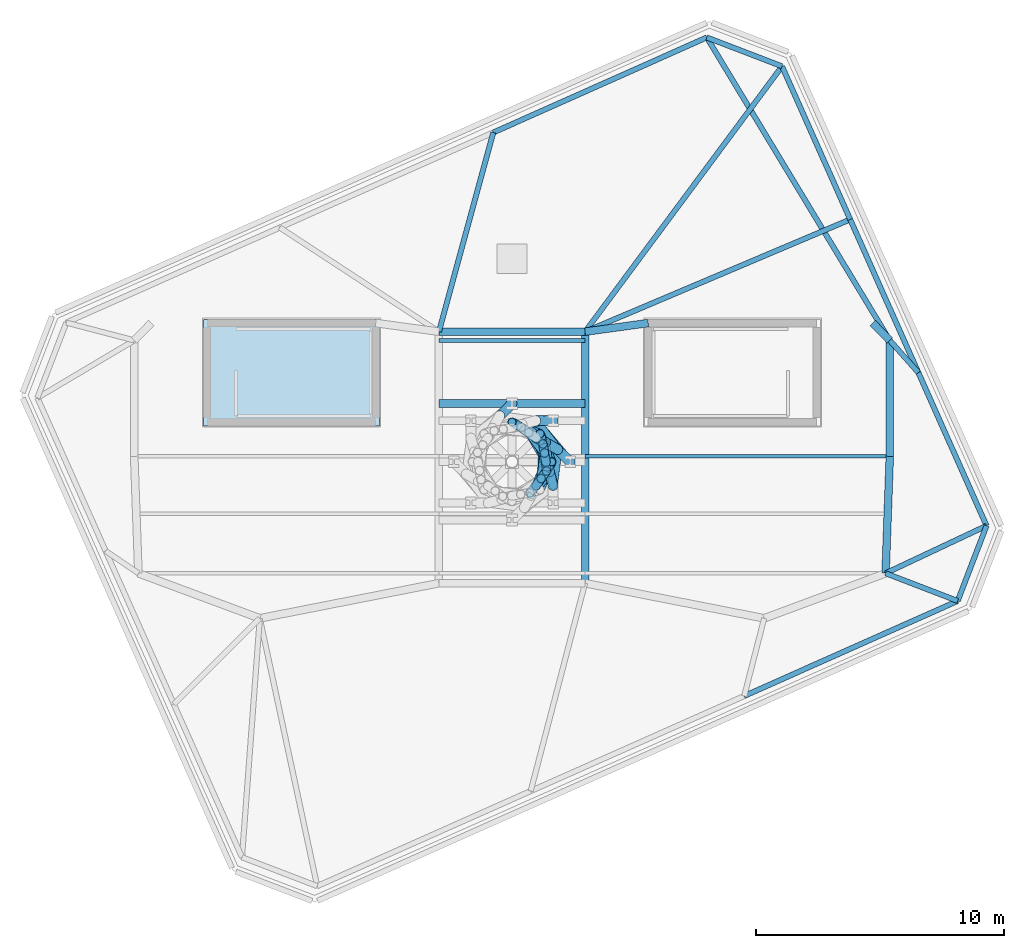
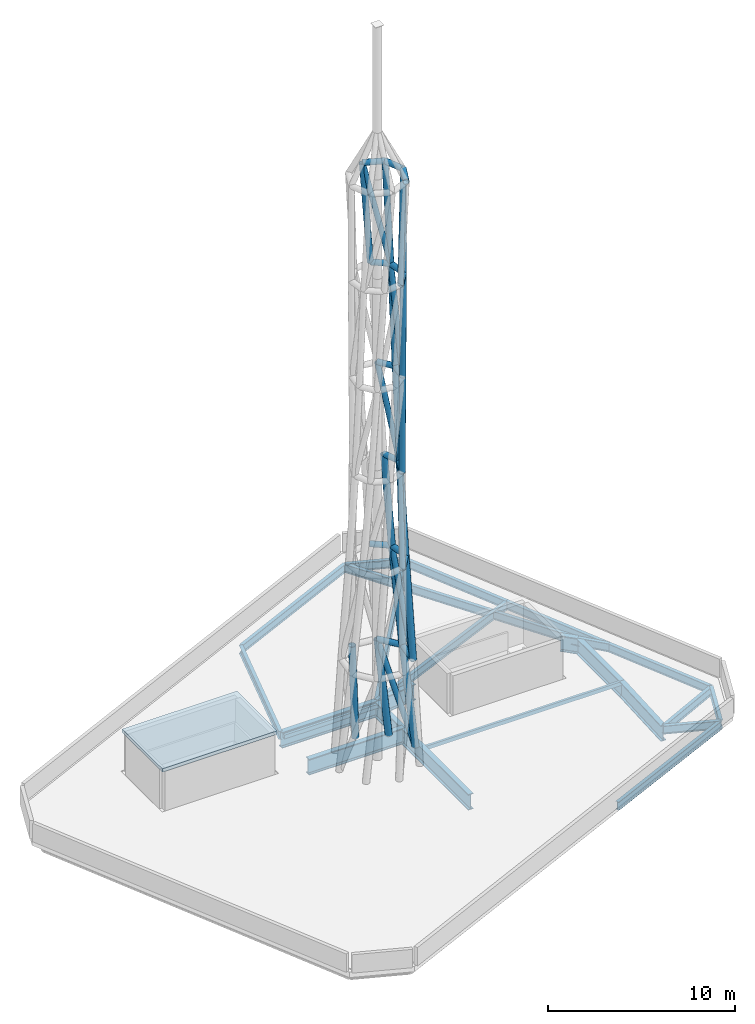
# One storey, part 3 of 5: 38 members, 21 beams, 1 slab.
"""IFC4 building model written with IfcOpenShell, lengths in metres."""

from ifc_helpers import new_model, si_unit, direction, frame, origin, origin_2d, place, context, subcontext, project, spatial, polyline, hollow_rectangle, hollow_circle, i_section, outline, extrude, material, layer, layer_set, material_profile, profile_set, type_object, element, save


model = new_model("IFC4")

# Units and contexts
model_context = context("Model", 3, precision=1e-05, world=origin(), true_north=direction((0.0, 1.0)))
body_context = subcontext(model_context, "Body", "Model", "MODEL_VIEW")
ifc_project = project(units=[si_unit("LENGTHUNIT", "METRE"), si_unit("AREAUNIT", "SQUARE_METRE"), si_unit("VOLUMEUNIT", "CUBIC_METRE"), si_unit("PLANEANGLEUNIT", "RADIAN"), si_unit("MASSUNIT", "GRAM", prefix="KILO")], contexts=[model_context])

# Site, building, storey
site_placement = place(None, origin())
site = spatial("IfcSite", under=ifc_project, at=site_placement, CompositionType="ELEMENT")
building_placement = place(site_placement, origin())
building = spatial("IfcBuilding", under=site, at=building_placement, Name="Menara Jurai Vektor", CompositionType="ELEMENT")
storey_placement = place(building_placement, frame((0.0, 0.0, 312.0)))
storey = spatial("IfcBuildingStorey", under=building, at=storey_placement, Name="Roof", CompositionType="ELEMENT", Elevation=312.0)

# Beams
ifc_material_1 = material(Name="Steel S355", Category="steel")
ifc_material_profile_1 = material_profile(ifc_material_1, i_section(OverallWidth=0.2109375, OverallDepth=0.5390625, WebThickness=0.011962890625, FlangeThickness=0.01904296875, FilletRadius=0.012939453125, at=origin_2d()), Name="UKB 533x210x109")
ifc_profile_set_1 = profile_set([ifc_material_profile_1], Name="Steel S355")
beam_type_1 = type_object("IfcBeamType", Name="STR-BM-533", PredefinedType="BEAM", material=ifc_profile_set_1)
beam_1_placement = place(storey_placement, frame((9.372802734375, -9.455078125, -0.619384765625), z_axis=(0.913552017411, 0.406721909276, 0.0), x_axis=(-0.406721909276, 0.913552017411, 0.0)))
element("IfcBeam", 1, at=beam_1_placement, inside=storey, type_object=beam_type_1, Name="Drum Roof Spandrel Beam 03", PredefinedType="SPANDREL", context=body_context, shape_type="SweptSolid", body=[
    extrude(i_section(OverallWidth=0.2109375, OverallDepth=0.5390625, WebThickness=0.011962890625, FlangeThickness=0.01904296875, FilletRadius=0.012939453125, at=origin_2d()), origin(), (0.0, 0.0, 1.0), 9.43310546875),
])
beam_2_placement = place(storey_placement, frame((17.990478515625, -5.618408203125, -0.619384765625), z_axis=(0.358400601676, 0.933567891863, 0.0), x_axis=(-0.933567891863, 0.358400601676, 0.0)))
element("IfcBeam", 2, at=beam_2_placement, inside=storey, type_object=beam_type_1, Name="Drum Roof Spandrel Beam 04", PredefinedType="SPANDREL", context=body_context, shape_type="SweptSolid", body=[
    extrude(i_section(OverallWidth=0.2109375, OverallDepth=0.5390625, WebThickness=0.011962890625, FlangeThickness=0.01904296875, FilletRadius=0.012939453125, at=origin_2d()), origin(), (0.0, 0.0, 1.0), 3.252685546875),
])
beam_3_placement = place(storey_placement, frame((17.990478515625, -5.618408203125, -0.619384765625), z_axis=(-0.933450508536, 0.358706214211, 0.0), x_axis=(-0.358706214211, -0.933450508536, 0.0)))
element("IfcBeam", 3, at=beam_3_placement, inside=storey, type_object=beam_type_1, Name="Drum Roof Radial Girder 04", PredefinedType="BEAM", context=body_context, shape_type="SweptSolid", body=[
    extrude(i_section(OverallWidth=0.2109375, OverallDepth=0.5390625, WebThickness=0.011962890625, FlangeThickness=0.01904296875, FilletRadius=0.012939453125, at=origin_2d()), origin(), (0.0, 0.0, 1.0), 3.117919921875),
])
beam_4_placement = place(storey_placement, frame((19.15625, -2.581787109375, -0.619384765625), z_axis=(-0.406747616829, 0.913540571734, 0.0), x_axis=(-0.913540571734, -0.406747616829, 0.0)))
element("IfcBeam", 4, at=beam_4_placement, inside=storey, type_object=beam_type_1, Name="Drum Roof Spandrel Beam 05", PredefinedType="SPANDREL", context=body_context, shape_type="SweptSolid", body=[
    extrude(i_section(OverallWidth=0.2109375, OverallDepth=0.5390625, WebThickness=0.011962890625, FlangeThickness=0.01904296875, FilletRadius=0.012939453125, at=origin_2d()), origin(), (0.0, 0.0, 1.0), 6.766845703125),
])
beam_5_placement = place(storey_placement, frame((19.15625, -2.581787109375, -0.619384765625), z_axis=(-0.904817474012, -0.425799646221, 0.0), x_axis=(0.425799646221, -0.904817474012, 0.0)))
element("IfcBeam", 5, at=beam_5_placement, inside=storey, type_object=beam_type_1, Name="Drum Roof Radial Girder 05", PredefinedType="BEAM", context=body_context, shape_type="SweptSolid", body=[
    extrude(i_section(OverallWidth=0.2109375, OverallDepth=0.5390625, WebThickness=0.011962890625, FlangeThickness=0.01904296875, FilletRadius=0.012939453125, at=origin_2d()), origin(), (0.0, 0.0, 1.0), 4.5048828125),
])
beam_6_placement = place(storey_placement, frame((16.40380859375, 3.60009765625, -0.619384765625), z_axis=(-0.40674431916, 0.913542039991, 0.0), x_axis=(-0.913542039991, -0.40674431916, 0.0)))
element("IfcBeam", 6, at=beam_6_placement, inside=storey, type_object=beam_type_1, Name="Drum Roof Spandrel Beam 06", PredefinedType="SPANDREL", context=body_context, shape_type="SweptSolid", body=[
    extrude(i_section(OverallWidth=0.2109375, OverallDepth=0.5390625, WebThickness=0.011962890625, FlangeThickness=0.01904296875, FilletRadius=0.012939453125, at=origin_2d()), origin(), (0.0, 0.0, 1.0), 6.766357421875),
])
beam_7_placement = place(storey_placement, frame((16.40380859375, 3.60009765625, -0.619384765625), z_axis=(-0.663857997221, 0.747858649429, 0.0), x_axis=(-0.747858649429, -0.663857997221, 0.0)))
element("IfcBeam", 7, at=beam_7_placement, inside=storey, type_object=beam_type_1, Name="Drum Roof Radial Girder 06", PredefinedType="BEAM", context=body_context, shape_type="SweptSolid", body=[
    extrude(i_section(OverallWidth=0.2109375, OverallDepth=0.5390625, WebThickness=0.011962890625, FlangeThickness=0.01904296875, FilletRadius=0.012939453125, at=origin_2d()), origin(), (0.0, 0.0, 1.0), 1.738037109375),
])
beam_8_placement = place(storey_placement, frame((13.651611328125, 9.781494140625, -0.619384765625), z_axis=(-0.406717506727, 0.913553977454, 0.0), x_axis=(-0.913553977454, -0.406717506727, 0.0)))
element("IfcBeam", 8, at=beam_8_placement, inside=storey, type_object=beam_type_1, Name="Drum Roof Spandrel Beam 07", PredefinedType="SPANDREL", context=body_context, shape_type="SweptSolid", body=[
    extrude(i_section(OverallWidth=0.2109375, OverallDepth=0.5390625, WebThickness=0.011962890625, FlangeThickness=0.01904296875, FilletRadius=0.012939453125, at=origin_2d()), origin(), (0.0, 0.0, 1.0), 6.766845703125),
])
beam_9_placement = place(storey_placement, frame((13.651611328125, 9.781494140625, -0.619384765625), z_axis=(-0.920847751693, -0.389922323292, 0.0), x_axis=(0.389922323292, -0.920847751693, 0.0)))
element("IfcBeam", 9, at=beam_9_placement, inside=storey, type_object=beam_type_1, Name="Drum Roof Radial Girder 07", PredefinedType="BEAM", context=body_context, shape_type="SweptSolid", body=[
    extrude(i_section(OverallWidth=0.2109375, OverallDepth=0.5390625, WebThickness=0.011962890625, FlangeThickness=0.01904296875, FilletRadius=0.012939453125, at=origin_2d()), origin(), (0.0, 0.0, 1.0), 11.62158203125),
])
beam_10_placement = place(storey_placement, frame((10.8994140625, 15.96337890625, -0.619384765625), z_axis=(-0.933593003906, 0.358335182557, 0.0), x_axis=(-0.358335182557, -0.933593003906, 0.0)))
element("IfcBeam", 10, at=beam_10_placement, inside=storey, type_object=beam_type_1, Name="Drum Roof Spandrel Beam 08", PredefinedType="SPANDREL", context=body_context, shape_type="SweptSolid", body=[
    extrude(i_section(OverallWidth=0.2109375, OverallDepth=0.5390625, WebThickness=0.011962890625, FlangeThickness=0.01904296875, FilletRadius=0.012939453125, at=origin_2d()), origin(), (0.0, 0.0, 1.0), 3.252685546875),
])
beam_11_placement = place(storey_placement, frame((10.8994140625, 15.96337890625, -0.619384765625), z_axis=(-0.595886902334, -0.803068365475, 0.0), x_axis=(0.803068365475, -0.595886902334, 0.0)))
element("IfcBeam", 11, at=beam_11_placement, inside=storey, type_object=beam_type_1, Name="Drum Roof Radial Girder 08", PredefinedType="BEAM", context=body_context, shape_type="SweptSolid", body=[
    extrude(i_section(OverallWidth=0.2109375, OverallDepth=0.5390625, WebThickness=0.011962890625, FlangeThickness=0.01904296875, FilletRadius=0.012939453125, at=origin_2d()), origin(), (0.0, 0.0, 1.0), 13.340576171875),
])
beam_12_placement = place(storey_placement, frame((7.86279296875, 17.12890625, -0.619384765625), z_axis=(-0.913542400823, -0.406743508735, 0.0), x_axis=(0.406743508735, -0.913542400823, 0.0)))
element("IfcBeam", 12, at=beam_12_placement, inside=storey, type_object=beam_type_1, Name="Drum Roof Spandrel Beam 09", PredefinedType="SPANDREL", context=body_context, shape_type="SweptSolid", body=[
    extrude(i_section(OverallWidth=0.2109375, OverallDepth=0.5390625, WebThickness=0.011962890625, FlangeThickness=0.01904296875, FilletRadius=0.012939453125, at=origin_2d()), origin(), (0.0, 0.0, 1.0), 9.433349609375),
])
beam_13_placement = place(storey_placement, frame((7.86279296875, 17.12890625, -0.619384765625), z_axis=(0.517056696413, -0.855951150881, 0.0), x_axis=(0.855951150881, 0.517056696413, 0.0)))
element("IfcBeam", 13, at=beam_13_placement, inside=storey, type_object=beam_type_1, Name="Drum Roof Radial Girder 09", PredefinedType="BEAM", context=body_context, shape_type="SweptSolid", body=[
    extrude(i_section(OverallWidth=0.2109375, OverallDepth=0.5390625, WebThickness=0.011962890625, FlangeThickness=0.01904296875, FilletRadius=0.012939453125, at=origin_2d()), origin(), (0.0, 0.0, 1.0), 14.287109375),
])
beam_14_placement = place(storey_placement, frame((-0.7548828125, 13.2919921875, -0.619384765625), z_axis=(-0.263318127707, -0.964709056463, 0.0), x_axis=(0.964709056463, -0.263318127707, 0.0)))
element("IfcBeam", 14, at=beam_14_placement, inside=storey, type_object=beam_type_1, Name="Drum Roof Radial Girder 10", PredefinedType="BEAM", context=body_context, shape_type="SweptSolid", body=[
    extrude(i_section(OverallWidth=0.2109375, OverallDepth=0.5390625, WebThickness=0.011962890625, FlangeThickness=0.01904296875, FilletRadius=0.012939453125, at=origin_2d()), origin(), (0.0, 0.0, 1.0), 8.336181640625),
])
ifc_material_2 = material(Name="Steel S460", Category="steel")
ifc_material_profile_2 = material_profile(ifc_material_2, i_section(OverallWidth=0.30908203125, OverallDepth=1.035888671875, WebThickness=0.030029296875, FlangeThickness=0.053955078125, FilletRadius=0.030029296875, at=origin_2d()), Name="UKB 1016x305x487")
ifc_profile_set_2 = profile_set([ifc_material_profile_2], Name="Steel S460")
beam_type_2 = type_object("IfcBeamType", Name="STR-BM-TR1016", PredefinedType="BEAM", material=ifc_profile_set_2)
beam_15_placement = place(storey_placement, frame((2.949951171875, 5.25, -0.867919921875), z_axis=(0.990706818608, 0.136014703483, 0.0), x_axis=(-0.136014703483, 0.990706818608, 0.0)))
element("IfcBeam", 15, at=beam_15_placement, inside=storey, type_object=beam_type_2, Name="Core Ring Header Girder Roof-CHE-N1", PredefinedType="BEAM", context=body_context, shape_type="SweptSolid", body=[
    extrude(i_section(OverallWidth=0.30908203125, OverallDepth=1.035888671875, WebThickness=0.030029296875, FlangeThickness=0.053955078125, FilletRadius=0.030029296875, at=origin_2d()), origin(), (0.0, 0.0, 1.0), 2.573974609375),
])
beam_16_placement = place(storey_placement, frame((14.56005859375, 5.60009765625, -0.867919921875), z_axis=(0.701871936926, -0.712303154672, 0.0), x_axis=(0.712303154672, 0.701871936926, 0.0)))
element("IfcBeam", 16, at=beam_16_placement, inside=storey, type_object=beam_type_2, Name="Core Ring Header Girder Roof-CHE-N2", PredefinedType="BEAM", context=body_context, shape_type="SweptSolid", body=[
    extrude(i_section(OverallWidth=0.30908203125, OverallDepth=1.035888671875, WebThickness=0.030029296875, FlangeThickness=0.053955078125, FilletRadius=0.030029296875, at=origin_2d()), origin(), (0.0, 0.0, 1.0), 0.98291015625),
])
beam_17_placement = place(storey_placement, frame((15.25, 0.219970703125, -0.867919921875), z_axis=(0.0, 1.0, 0.0), x_axis=(-1.0, 0.0, 0.0)))
element("IfcBeam", 17, at=beam_17_placement, inside=storey, type_object=beam_type_2, Name="Core Ring Header Girder Roof-CHE-E1", PredefinedType="BEAM", context=body_context, shape_type="SweptSolid", body=[
    extrude(i_section(OverallWidth=0.30908203125, OverallDepth=1.035888671875, WebThickness=0.030029296875, FlangeThickness=0.053955078125, FilletRadius=0.030029296875, at=origin_2d()), origin(), (0.0, 0.0, 1.0), 4.679931640625),
])
beam_18_placement = place(storey_placement, frame((15.080078125, -4.5, -0.867919921875), z_axis=(0.035977314146, 0.999352606874, 0.0), x_axis=(-0.999352606874, 0.035977314146, 0.0)))
element("IfcBeam", 18, at=beam_18_placement, inside=storey, type_object=beam_type_2, Name="Core Ring Header Girder Roof-CHE-E2", PredefinedType="BEAM", context=body_context, shape_type="SweptSolid", body=[
    extrude(i_section(OverallWidth=0.30908203125, OverallDepth=1.035888671875, WebThickness=0.030029296875, FlangeThickness=0.053955078125, FilletRadius=0.030029296875, at=origin_2d()), origin(), (0.0, 0.0, 1.0), 4.72314453125),
])
beam_19_placement = place(storey_placement, frame((-2.949951171875, 5.25, -0.867919921875), z_axis=(1.0, 0.0, 0.0), x_axis=(0.0, 1.0, 0.0)))
element("IfcBeam", 19, at=beam_19_placement, inside=storey, type_object=beam_type_2, Name="Core Ring Header Girder Roof-CC-2", PredefinedType="BEAM", context=body_context, shape_type="SweptSolid", body=[
    extrude(i_section(OverallWidth=0.30908203125, OverallDepth=1.035888671875, WebThickness=0.030029296875, FlangeThickness=0.053955078125, FilletRadius=0.030029296875, at=origin_2d()), origin(), (0.0, 0.0, 1.0), 5.89990234375),
])
beam_20_placement = place(storey_placement, frame((2.949951171875, -4.89990234375, -0.867919921875), z_axis=(0.0, 1.0, 0.0), x_axis=(-1.0, 0.0, 0.0)))
element("IfcBeam", 20, at=beam_20_placement, inside=storey, type_object=beam_type_2, Name="Broadcast Mast East Spine Transfer Girder", PredefinedType="BEAM", context=body_context, shape_type="SweptSolid", body=[
    extrude(i_section(OverallWidth=0.30908203125, OverallDepth=1.035888671875, WebThickness=0.030029296875, FlangeThickness=0.053955078125, FilletRadius=0.030029296875, at=origin_2d()), origin(), (0.0, 0.0, 1.0), 10.14990234375),
])
beam_21_placement = place(storey_placement, frame((-2.949951171875, 2.35009765625, -0.867919921875), z_axis=(1.0, 0.0, 0.0), x_axis=(0.0, 1.0, 0.0)))
element("IfcBeam", 21, at=beam_21_placement, inside=storey, type_object=beam_type_2, Name="Broadcast Mast Cross Transfer Girder 5", PredefinedType="BEAM", context=body_context, shape_type="SweptSolid", body=[
    extrude(i_section(OverallWidth=0.30908203125, OverallDepth=1.035888671875, WebThickness=0.030029296875, FlangeThickness=0.053955078125, FilletRadius=0.030029296875, at=origin_2d()), origin(), (0.0, 0.0, 1.0), 5.89990234375),
])

# Members
ifc_material_profile_3 = material_profile(ifc_material_2, hollow_circle(Radius=0.161865234375, WallThickness=0.012451171875, at=origin_2d()), Name="CHS 323.9x12.5")
ifc_profile_set_3 = profile_set([ifc_material_profile_3], Name="Steel S460")
member_type_1 = type_object("IfcMemberType", Name="STR-MAST-DIAG324", PredefinedType="USERDEFINED", material=ifc_profile_set_3)
member_1_placement = place(storey_placement, frame((2.35009765625, 0.0, 0.0), z_axis=(-0.203443612763, 0.241787513154, 0.948762085514), x_axis=(-0.765171411424, -0.643826615743, 0.0)))
element("IfcMember", 22, at=member_1_placement, inside=storey, type_object=member_type_1, Name="Broadcast Mast Lattice Diagonal D1-1", ObjectType="MAST", PredefinedType="USERDEFINED", context=body_context, shape_type="SweptSolid", body=[
    extrude(hollow_circle(Radius=0.161865234375, WallThickness=0.012451171875, at=origin_2d()), origin(), (0.0, 0.0, 1.0), 6.85107421875),
])
member_2_placement = place(storey_placement, frame((1.656494140625, -0.956298828125, 6.5), z_axis=(-0.045021529234, 0.257985687246, 0.965099190281), x_axis=(-0.985112030032, -0.17191360704, 0.0)))
element("IfcMember", 23, at=member_2_placement, inside=storey, type_object=member_type_1, Name="Broadcast Mast Lattice Diagonal D2-8", ObjectType="MAST", PredefinedType="USERDEFINED", context=body_context, shape_type="SweptSolid", body=[
    extrude(hollow_circle(Radius=0.161865234375, WallThickness=0.012451171875, at=origin_2d()), origin(), (0.0, 0.0, 1.0), 6.735107421875),
])
member_3_placement = place(storey_placement, frame((0.78125, -1.353271484375, 13.0), z_axis=(0.096125910818, 0.21899955761, 0.970978374134), x_axis=(-0.915675171414, 0.401919121784, 0.0)))
element("IfcMember", 24, at=member_3_placement, inside=storey, type_object=member_type_1, Name="Broadcast Mast Lattice Diagonal D3-7", ObjectType="MAST", PredefinedType="USERDEFINED", context=body_context, shape_type="SweptSolid", body=[
    extrude(hollow_circle(Radius=0.161865234375, WallThickness=0.012451171875, at=origin_2d()), origin(), (0.0, 0.0, 1.0), 6.179443359375),
])
member_4_placement = place(storey_placement, frame((1.375244140625, 0.0, 19.0), z_axis=(-0.113027267927, 0.191341001479, 0.974994080935), x_axis=(-0.861001152815, -0.508603003187, 0.0)))
element("IfcMember", 25, at=member_4_placement, inside=storey, type_object=member_type_1, Name="Broadcast Mast Lattice Diagonal D4-8", ObjectType="MAST", PredefinedType="USERDEFINED", context=body_context, shape_type="SweptSolid", body=[
    extrude(hollow_circle(Radius=0.161865234375, WallThickness=0.012451171875, at=origin_2d()), origin(), (0.0, 0.0, 1.0), 6.15380859375),
])
member_5_placement = place(storey_placement, frame((1.177490234375, -0.6796875, 25.0), z_axis=(0.010867518988, 0.210705038761, 0.977489275477), x_axis=(-0.998672557997, 0.051508464396, 0.0)))
element("IfcMember", 26, at=member_5_placement, inside=storey, type_object=member_type_1, Name="Broadcast Mast Lattice Diagonal D5-7", ObjectType="MAST", PredefinedType="USERDEFINED", context=body_context, shape_type="SweptSolid", body=[
    extrude(hollow_circle(Radius=0.161865234375, WallThickness=0.012451171875, at=origin_2d()), origin(), (0.0, 0.0, 1.0), 6.649658203125),
])
for number, where, z_axis, x_axis, name in (
    (27, (0.721435546875, -1.249755859375, 31.5), (0.13159297077, 0.18716988535, 0.973473535368), (-0.818051480086, 0.575145004264, 0.0), "Broadcast Mast Lattice Diagonal D6-6"),
    (28, (1.249755859375, 0.721435546875, 31.5), (-0.18716988535, 0.13159297077, 0.973473535368), (-0.575145004264, -0.818051480086, 0.0), "Broadcast Mast Lattice Diagonal D6-8"),
):
    element("IfcMember", number, at=place(storey_placement, frame(where, z_axis=z_axis, x_axis=x_axis)), inside=storey, type_object=member_type_1, Name=name, ObjectType="MAST", PredefinedType="USERDEFINED", context=body_context, shape_type="SweptSolid", body=[
        extrude(hollow_circle(Radius=0.161865234375, WallThickness=0.012451171875, at=origin_2d()), origin(), (0.0, 0.0, 1.0), 6.677001953125),
    ])
ifc_material_profile_4 = material_profile(ifc_material_2, hollow_circle(Radius=0.177734375, WallThickness=0.01611328125, at=origin_2d()), Name="CHS 355.6x16")
ifc_profile_set_4 = profile_set([ifc_material_profile_4], Name="Steel S460")
member_type_2 = type_object("IfcMemberType", Name="STR-MAST-LEG356", PredefinedType="USERDEFINED", material=ifc_profile_set_4)
for number, where, z_axis, x_axis, name in (
    (29, (0.972412109375, -0.972412109375, 19.0), (0.034119205706, 0.048701104335, 0.998230475511), (-0.819007222182, 0.573783208201, 0.0), "Broadcast Mast Hyperboloid Leg T4-7"),
    (30, (1.375244140625, 0.0, 19.0), (-0.010317016673, 0.058530791442, 0.998232290411), (-0.984817940199, -0.173590393345, 0.0), "Broadcast Mast Hyperboloid Leg T4-8"),
):
    element("IfcMember", number, at=place(storey_placement, frame(where, z_axis=z_axis, x_axis=x_axis)), inside=storey, type_object=member_type_2, Name=name, ObjectType="MAST", PredefinedType="USERDEFINED", context=body_context, shape_type="SweptSolid", body=[
        extrude(hollow_circle(Radius=0.177734375, WallThickness=0.01611328125, at=origin_2d()), origin(), (0.0, 0.0, 1.0), 6.0107421875),
    ])
for number, where, z_axis, x_axis, name in (
    (31, (1.177490234375, -0.6796875, 25.0), (0.033223043034, 0.047022230208, 0.99834119382), (-0.816715091125, 0.577041124989, 0.0), "Broadcast Mast Hyperboloid Leg T5-7"),
    (32, (1.313232421875, 0.351806640625, 25.0), (-0.009749410066, 0.056771564768, 0.998339590739), (-0.98557265383, -0.169252899601, 0.0), "Broadcast Mast Hyperboloid Leg T5-8"),
):
    element("IfcMember", number, at=place(storey_placement, frame(where, z_axis=z_axis, x_axis=x_axis)), inside=storey, type_object=member_type_2, Name=name, ObjectType="MAST", PredefinedType="USERDEFINED", context=body_context, shape_type="SweptSolid", body=[
        extrude(hollow_circle(Radius=0.177734375, WallThickness=0.01611328125, at=origin_2d()), origin(), (0.0, 0.0, 1.0), 6.5107421875),
    ])
for number, where, z_axis, x_axis, name in (
    (33, (0.37353515625, 1.393798828125, 31.5), (-0.057343511338, 0.031670109203, 0.997852056114), (-0.48345541913, -0.875368983751, 0.0), "Broadcast Mast Hyperboloid Leg T6-1"),
    (34, (1.393798828125, -0.37353515625, 31.5), (0.031670109203, 0.057343511338, 0.997852056114), (-0.875368983751, 0.48345541913, 0.0), "Broadcast Mast Hyperboloid Leg T6-7"),
    (35, (1.249755859375, 0.721435546875, 31.5), (-0.018177526713, 0.062927973921, 0.997852517971), (-0.960720963391, -0.27751618061, 0.0), "Broadcast Mast Hyperboloid Leg T6-8"),
):
    element("IfcMember", number, at=place(storey_placement, frame(where, z_axis=z_axis, x_axis=x_axis)), inside=storey, type_object=member_type_2, Name=name, ObjectType="MAST", PredefinedType="USERDEFINED", context=body_context, shape_type="SweptSolid", body=[
        extrude(hollow_circle(Radius=0.177734375, WallThickness=0.01611328125, at=origin_2d()), origin(), (0.0, 0.0, 1.0), 6.513916015625),
    ])
ifc_material_profile_5 = material_profile(ifc_material_2, hollow_circle(Radius=0.203125, WallThickness=0.01611328125, at=origin_2d()), Name="CHS 406.4x16")
ifc_profile_set_5 = profile_set([ifc_material_profile_5], Name="Steel S460")
member_type_3 = type_object("IfcMemberType", Name="STR-MAST-LEG406", PredefinedType="USERDEFINED", material=ifc_profile_set_5)
for number, where, z_axis, x_axis, name in (
    (36, (2.35009765625, 0.0, 0.0), (-0.076847476877, 0.075727251266, 0.994162888421), (-0.701896183111, -0.712279262743, 0.0), "Broadcast Mast Hyperboloid Leg T1-1"),
    (37, (1.66162109375, 1.66162109375, 0.0), (-0.107877830526, -0.000784158685, 0.994163849059), (0.007268759165, -0.999973582221, 0.0), "Broadcast Mast Hyperboloid Leg T1-2"),
    (38, (0.0, 2.35009765625, 0.0), (-0.075727251266, -0.076847476877, 0.994162888421), (0.712279262743, -0.701896183111, 0.0), "Broadcast Mast Hyperboloid Leg T1-3"),
):
    element("IfcMember", number, at=place(storey_placement, frame(where, z_axis=z_axis, x_axis=x_axis)), inside=storey, type_object=member_type_3, Name=name, ObjectType="MAST", PredefinedType="USERDEFINED", context=body_context, shape_type="SweptSolid", body=[
        extrude(hollow_circle(Radius=0.203125, WallThickness=0.01611328125, at=origin_2d()), origin(), (0.0, 0.0, 1.0), 6.5380859375),
    ])
for number, where, z_axis, x_axis, name in (
    (39, (1.84765625, 0.4951171875, 6.5), (-0.075767189989, 0.043851430453, 0.996160822844), (-0.500918330562, -0.865494555793, 0.0), "Broadcast Mast Hyperboloid Leg T2-1"),
    (40, (1.656494140625, -0.956298828125, 6.5), (-0.022524364585, 0.084597322801, 0.996160602501), (-0.966334178924, -0.257290214822, 0.0), "Broadcast Mast Hyperboloid Leg T2-8"),
):
    element("IfcMember", number, at=place(storey_placement, frame(where, z_axis=z_axis, x_axis=x_axis)), inside=storey, type_object=member_type_3, Name=name, ObjectType="MAST", PredefinedType="USERDEFINED", context=body_context, shape_type="SweptSolid", body=[
        extrude(hollow_circle(Radius=0.203125, WallThickness=0.01611328125, at=origin_2d()), origin(), (0.0, 0.0, 1.0), 6.525146484375),
    ])
for number, where, z_axis, x_axis, name in (
    (41, (1.353271484375, 0.78125, 13.0), (-0.063317066474, 0.031780296826, 0.997487324143), (-0.448588049595, -0.893738642871, 0.0), "Broadcast Mast Hyperboloid Leg T3-1"),
    (42, (1.509521484375, -0.404296875, 13.0), (-0.02232335879, 0.067213603922, 0.997488846604), (-0.949026587435, -0.315196028436, 0.0), "Broadcast Mast Hyperboloid Leg T3-8"),
):
    element("IfcMember", number, at=place(storey_placement, frame(where, z_axis=z_axis, x_axis=x_axis)), inside=storey, type_object=member_type_3, Name=name, ObjectType="MAST", PredefinedType="USERDEFINED", context=body_context, shape_type="SweptSolid", body=[
        extrude(hollow_circle(Radius=0.203125, WallThickness=0.01611328125, at=origin_2d()), origin(), (0.0, 0.0, 1.0), 6.01513671875),
    ])
ifc_material_profile_6 = material_profile(ifc_material_2, hollow_circle(Radius=0.177734375, WallThickness=0.01611328125, at=origin_2d()), Name="CHS 355.6x16")
ifc_profile_set_6 = profile_set([ifc_material_profile_6], Name="Steel S460")
member_type_4 = type_object("IfcMemberType", Name="STR-MAST-RING356", PredefinedType="USERDEFINED", material=ifc_profile_set_6)
member_6_placement = place(storey_placement, frame((1.84765625, 0.4951171875, 6.5), z_axis=(-0.608848073081, 0.793286848438, 0.0), x_axis=(-0.793286848438, -0.608848073081, 0.0)))
element("IfcMember", 43, at=member_6_placement, inside=storey, type_object=member_type_4, Name="Broadcast Mast Stiffener Ring R1-1", ObjectType="MAST", PredefinedType="USERDEFINED", context=body_context, shape_type="SweptSolid", body=[
    extrude(hollow_circle(Radius=0.177734375, WallThickness=0.01611328125, at=origin_2d()), origin(), (0.0, 0.0, 1.0), 1.464111328125),
])
member_7_placement = place(storey_placement, frame((1.656494140625, -0.956298828125, 6.5), z_axis=(0.130579616175, 0.991437826512, 0.0), x_axis=(-0.991437826512, 0.130579616175, 0.0)))
element("IfcMember", 44, at=member_7_placement, inside=storey, type_object=member_type_4, Name="Broadcast Mast Stiffener Ring R1-8", ObjectType="MAST", PredefinedType="USERDEFINED", context=body_context, shape_type="SweptSolid", body=[
    extrude(hollow_circle(Radius=0.177734375, WallThickness=0.01611328125, at=origin_2d()), origin(), (0.0, 0.0, 1.0), 1.4638671875),
])
for number, where, z_axis, x_axis, name in (
    (45, (1.353271484375, 0.78125, 13.0), (-0.793313910892, 0.608812810957, 0.0), (-0.608812810957, -0.793313910892, 0.0), "Broadcast Mast Stiffener Ring R2-1"),
    (46, (0.78125, -1.353271484375, 13.0), (0.608812810957, 0.793313910892, 0.0), (-0.793313910892, 0.608812810957, 0.0), "Broadcast Mast Stiffener Ring R2-7"),
):
    element("IfcMember", number, at=place(storey_placement, frame(where, z_axis=z_axis, x_axis=x_axis)), inside=storey, type_object=member_type_4, Name=name, ObjectType="MAST", PredefinedType="USERDEFINED", context=body_context, shape_type="SweptSolid", body=[
        extrude(hollow_circle(Radius=0.177734375, WallThickness=0.01611328125, at=origin_2d()), origin(), (0.0, 0.0, 1.0), 1.1962890625),
    ])
member_8_placement = place(storey_placement, frame((1.509521484375, -0.404296875, 13.0), z_axis=(-0.130665762971, 0.991426476541, 0.0), x_axis=(-0.991426476541, -0.130665762971, 0.0)))
element("IfcMember", 47, at=member_8_placement, inside=storey, type_object=member_type_4, Name="Broadcast Mast Stiffener Ring R2-8", ObjectType="MAST", PredefinedType="USERDEFINED", context=body_context, shape_type="SweptSolid", body=[
    extrude(hollow_circle(Radius=0.177734375, WallThickness=0.01611328125, at=origin_2d()), origin(), (0.0, 0.0, 1.0), 1.19580078125),
])
for number, where, z_axis, x_axis, name in (
    (48, (0.972412109375, -0.972412109375, 19.0), (0.382720530374, 0.92386416514, 0.0), (-0.92386416514, 0.382720530374, 0.0), "Broadcast Mast Stiffener Ring R3-7"),
    (49, (1.375244140625, 0.0, 19.0), (-0.382720530374, 0.92386416514, 0.0), (-0.92386416514, -0.382720530374, 0.0), "Broadcast Mast Stiffener Ring R3-8"),
):
    element("IfcMember", number, at=place(storey_placement, frame(where, z_axis=z_axis, x_axis=x_axis)), inside=storey, type_object=member_type_4, Name=name, ObjectType="MAST", PredefinedType="USERDEFINED", context=body_context, shape_type="SweptSolid", body=[
        extrude(hollow_circle(Radius=0.177734375, WallThickness=0.01611328125, at=origin_2d()), origin(), (0.0, 0.0, 1.0), 1.052490234375),
    ])
member_9_placement = place(storey_placement, frame((1.177490234375, -0.6796875, 25.0), z_axis=(0.130472723306, 0.991451899223, 0.0), x_axis=(-0.991451899223, 0.130472723306, 0.0)))
element("IfcMember", 50, at=member_9_placement, inside=storey, type_object=member_type_4, Name="Broadcast Mast Stiffener Ring R4-7", ObjectType="MAST", PredefinedType="USERDEFINED", context=body_context, shape_type="SweptSolid", body=[
    extrude(hollow_circle(Radius=0.177734375, WallThickness=0.01611328125, at=origin_2d()), origin(), (0.0, 0.0, 1.0), 1.040283203125),
])
member_10_placement = place(storey_placement, frame((1.313232421875, 0.351806640625, 25.0), z_axis=(-0.608746682635, 0.793364655364, 0.0), x_axis=(-0.793364655364, -0.608746682635, 0.0)))
element("IfcMember", 51, at=member_10_placement, inside=storey, type_object=member_type_4, Name="Broadcast Mast Stiffener Ring R4-8", ObjectType="MAST", PredefinedType="USERDEFINED", context=body_context, shape_type="SweptSolid", body=[
    extrude(hollow_circle(Radius=0.177734375, WallThickness=0.01611328125, at=origin_2d()), origin(), (0.0, 0.0, 1.0), 1.040771484375),
])
for number, where, z_axis, x_axis, name in (
    (52, (0.721435546875, -1.249755859375, 31.5), (0.608770255439, 0.793346567455, 0.0), (-0.793346567455, 0.608770255439, 0.0), "Broadcast Mast Stiffener Ring R5-6"),
    (53, (1.393798828125, -0.37353515625, 31.5), (-0.130425920572, 0.991458057228, 0.0), (-0.991458057228, -0.130425920572, 0.0), "Broadcast Mast Stiffener Ring R5-7"),
    (54, (1.249755859375, 0.721435546875, 31.5), (-0.793346567455, 0.608770255439, 0.0), (-0.608770255439, -0.793346567455, 0.0), "Broadcast Mast Stiffener Ring R5-8"),
):
    element("IfcMember", number, at=place(storey_placement, frame(where, z_axis=z_axis, x_axis=x_axis)), inside=storey, type_object=member_type_4, Name=name, ObjectType="MAST", PredefinedType="USERDEFINED", context=body_context, shape_type="SweptSolid", body=[
        extrude(hollow_circle(Radius=0.177734375, WallThickness=0.01611328125, at=origin_2d()), origin(), (0.0, 0.0, 1.0), 1.1044921875),
    ])
for number, where, z_axis, x_axis, name in (
    (55, (1.13134765625, -1.13134765625, 38.0), (0.382774358945, 0.923841864246, 0.0), (-0.923841864246, 0.382774358945, 0.0), "Broadcast Mast Stiffener Ring R6-6"),
    (56, (1.60009765625, 0.0, 38.0), (-0.382774358945, 0.923841864246, 0.0), (-0.923841864246, -0.382774358945, 0.0), "Broadcast Mast Stiffener Ring R6-7"),
    (57, (1.13134765625, 1.13134765625, 38.0), (-0.923841864246, 0.382774358945, 0.0), (-0.382774358945, -0.923841864246, 0.0), "Broadcast Mast Stiffener Ring R6-8"),
):
    element("IfcMember", number, at=place(storey_placement, frame(where, z_axis=z_axis, x_axis=x_axis)), inside=storey, type_object=member_type_4, Name=name, ObjectType="MAST", PredefinedType="USERDEFINED", context=body_context, shape_type="SweptSolid", body=[
        extrude(hollow_circle(Radius=0.177734375, WallThickness=0.01611328125, at=origin_2d()), origin(), (0.0, 0.0, 1.0), 1.224609375),
    ])
ifc_material_profile_7 = material_profile(ifc_material_1, hollow_rectangle(XDim=0.14990234375, YDim=0.25, WallThickness=0.010009765625, at=origin_2d()), Name="RHS 250x150x10")
ifc_profile_set_7 = profile_set([ifc_material_profile_7], Name="Steel S355")
member_type_5 = type_object("IfcMemberType", Name="STR-PR-RHS250", PredefinedType="PURLIN", material=ifc_profile_set_7)
member_11_placement = place(storey_placement, frame((2.949951171875, 0.219970703125, -0.48291015625), z_axis=(1.0, 0.0, 0.0), x_axis=(0.0, 1.0, 0.0)))
element("IfcMember", 58, at=member_11_placement, inside=storey, type_object=member_type_5, Name="Drum Roof Structural Purlin PR-09", PredefinedType="PURLIN", context=body_context, shape_type="SweptSolid", body=[
    extrude(hollow_rectangle(XDim=0.14990234375, YDim=0.25, WallThickness=0.010009765625, at=origin_2d()), origin(), (0.0, 0.0, 1.0), 12.300048828125),
])
member_12_placement = place(storey_placement, frame((-2.949951171875, 4.89990234375, -0.48291015625), z_axis=(1.0, 0.0, 0.0), x_axis=(0.0, 1.0, 0.0)))
element("IfcMember", 59, at=member_12_placement, inside=storey, type_object=member_type_5, Name="Drum Roof Structural Purlin PR-10", PredefinedType="PURLIN", context=body_context, shape_type="SweptSolid", body=[
    extrude(hollow_rectangle(XDim=0.14990234375, YDim=0.25, WallThickness=0.010009765625, at=origin_2d()), origin(), (0.0, 0.0, 1.0), 5.89990234375),
])

# Slab
ifc_material_3 = material(Name="Concrete C50/60", Category="concrete")
ifc_layer = layer(ifc_material_3, 0.219970703125)
ifc_layer_set = layer_set([ifc_layer], Name="Concrete C50/60")
slab_type = type_object("IfcSlabType", Name="STR-SLAB-HHCAP220", PredefinedType="USERDEFINED", material=ifc_layer_set)
slab_placement = place(storey_placement, frame((0.0, 0.0, 2.60009765625)))
element("IfcSlab", 60, at=slab_placement, inside=storey, type_object=slab_type, Name="Roof Stair Overrun Headhouse Cap Slab ST1", ObjectType="HEADHOUSE_CAP", PredefinedType="USERDEFINED", context=body_context, shape_type="SweptSolid", body=[
    extrude(outline(polyline([(-5.35009765625, 1.449951171875), (-5.35009765625, 5.75), (-12.449951171875, 5.75), (-12.449951171875, 1.449951171875), (-5.35009765625, 1.449951171875)])), origin(), (0.0, 0.0, 1.0), 0.219970703125),
])

save(model, "model.ifc")
